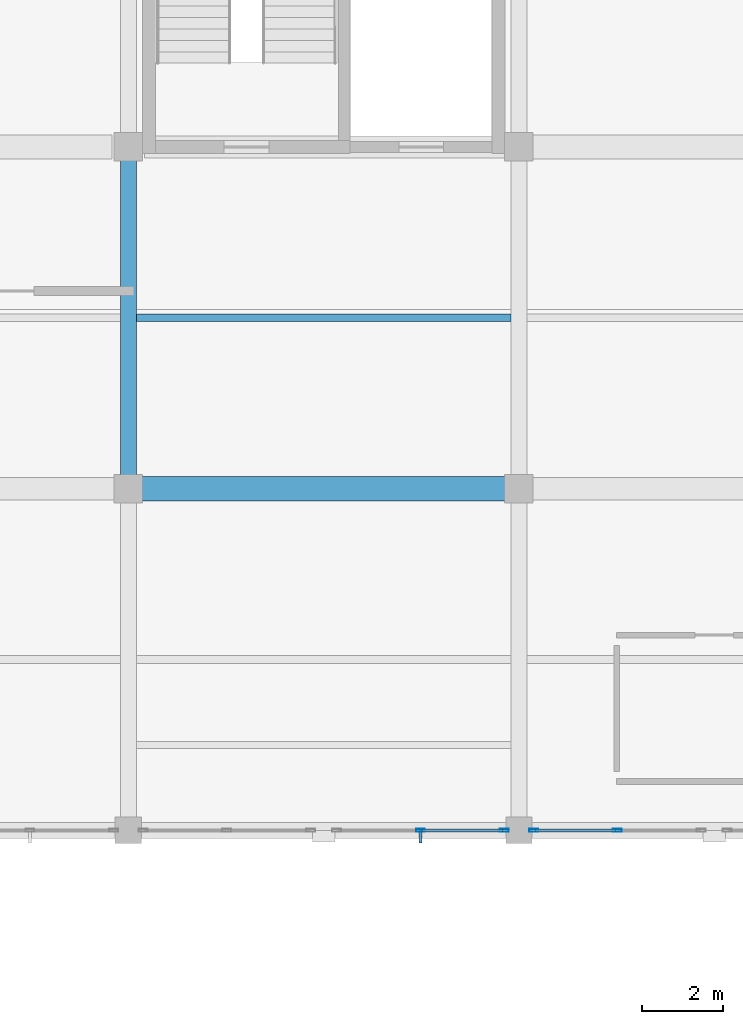
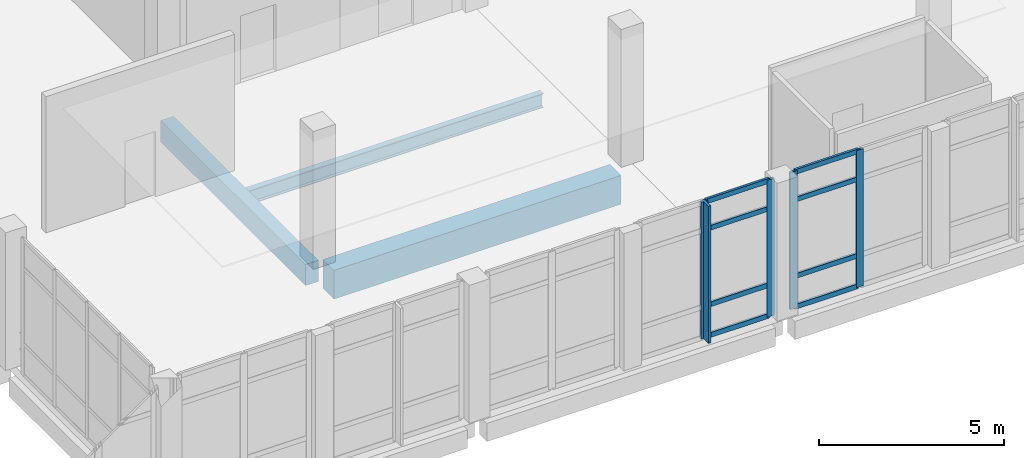
# One storey, part 41 of 102: 13 members, 3 beams, 2 elements without a shape of their own.
"""IFC4 building model written with IfcOpenShell, lengths in metres."""

from ifc_helpers import new_model, si_unit, direction, frame, origin, origin_2d, place, context, subcontext, project, spatial, rectangle, hollow_rectangle, i_section, extrude, material, layer, layer_set, material_profile, profile_set, type_object, element, aggregate, save


model = new_model("IFC4")

# Units and contexts
model_context = context("Model", 3, precision=1e-05, world=origin(), true_north=direction((0.0, 1.0)))
body_context = subcontext(model_context, "Body", "Model", "MODEL_VIEW")
ifc_project = project(units=[si_unit("LENGTHUNIT", "METRE"), si_unit("AREAUNIT", "SQUARE_METRE"), si_unit("VOLUMEUNIT", "CUBIC_METRE"), si_unit("PLANEANGLEUNIT", "RADIAN"), si_unit("MASSUNIT", "GRAM", prefix="KILO")], contexts=[model_context])

# Site, building, storey
site_placement = place(None, origin())
site = spatial("IfcSite", under=ifc_project, at=site_placement, CompositionType="ELEMENT")
building_placement = place(site_placement, origin())
building = spatial("IfcBuilding", under=site, at=building_placement, Name="Lornevale Opera House", CompositionType="ELEMENT")
storey_placement = place(building_placement, frame((0.0, 0.0, 5.39990234375)))
storey = spatial("IfcBuildingStorey", under=building, at=storey_placement, Name="L02", CompositionType="ELEMENT", Elevation=5.39990234375)

# Beams
ifc_material_1 = material(Name="Concrete 35 MPa (CSA A23.1 N)", Category="concrete")
ifc_material_profile_1 = material_profile(ifc_material_1, rectangle(XDim=0.39990234375, YDim=0.699951171875, at=origin_2d()), Name="RC400x700")
ifc_profile_set_1 = profile_set([ifc_material_profile_1], Name="Concrete 35 MPa (CSA A23.1 N)")
beam_type_1 = type_object("IfcBeamType", Name="Concrete Floor Beam 400x700", PredefinedType="USERDEFINED", material=ifc_profile_set_1)
beam_1_placement = place(storey_placement, frame((105.60009765625, 25.52490234375, -0.64990234375), z_axis=(0.0, 1.0, 0.0), x_axis=(-1.0, 0.0, 0.0)))
element("IfcBeam", 1, at=beam_1_placement, inside=storey, type_object=beam_type_1, Name="Concrete Floor Beam 400x700 1919", ObjectType="GIRDER", PredefinedType="USERDEFINED", context=body_context, shape_type="SweptSolid", body=[
    extrude(rectangle(XDim=0.39990234375, YDim=0.699951171875, at=origin_2d()), origin(), (0.0, 0.0, 1.0), 7.8251953125),
])
ifc_material_profile_2 = material_profile(ifc_material_1, rectangle(XDim=0.60009765625, YDim=0.949951171875, at=origin_2d()), Name="RC600x950")
ifc_profile_set_2 = profile_set([ifc_material_profile_2], Name="Concrete 35 MPa (CSA A23.1 N)")
beam_type_2 = type_object("IfcBeamType", Name="Concrete Primary Girder 600x950", PredefinedType="USERDEFINED", material=ifc_profile_set_2)
beam_2_placement = place(storey_placement, frame((105.925048828125, 25.199951171875, -0.77490234375), z_axis=(1.0, 0.0, 0.0), x_axis=(0.0, 1.0, 0.0)))
element("IfcBeam", 2, at=beam_2_placement, inside=storey, type_object=beam_type_2, Name="Concrete Primary Girder 600x950 1703", ObjectType="GIRDER", PredefinedType="USERDEFINED", context=body_context, shape_type="SweptSolid", body=[
    extrude(rectangle(XDim=0.60009765625, YDim=0.949951171875, at=origin_2d()), origin(), (0.0, 0.0, 1.0), 8.949951171875),
])

# Curtain wall, members
ifc_material_2 = material(Name="Anodized Oxide-Green Aluminium Framing", Category="aluminium")
ifc_layer = layer(ifc_material_2, 0.219970703125)
ifc_layer_set = layer_set([ifc_layer], Name="Anodized Oxide-Green Aluminium Framing")
curtain_wall_type = type_object("IfcCurtainWallType", Name="Winter-Garden Curtain Wall M1900", PredefinedType="NOTDEFINED", material=ifc_layer_set)
curtain_wall_1_placement = place(storey_placement, origin())
curtain_wall_1 = element("IfcCurtainWall", 3, at=curtain_wall_1_placement, inside=storey, type_object=curtain_wall_type, Name="Winter-Garden Curtain Wall M1900 CW-074", PredefinedType="NOTDEFINED")
ifc_material_profile_3 = material_profile(ifc_material_2, hollow_rectangle(XDim=0.074951171875, YDim=0.219970703125, WallThickness=0.0048828125, at=origin_2d()), Name="ALU75x220x5")
ifc_profile_set_3 = profile_set([ifc_material_profile_3], Name="Anodized Oxide-Green Aluminium Framing")
member_type_1 = type_object("IfcMemberType", Name="Curtain Wall Mullion 75x220", PredefinedType="MULLION", material=ifc_profile_set_3)
member_1_placement = place(storey_placement, frame((114.841552734375, 16.800048828125, 0.0), z_axis=(0.0, 0.0, 1.0), x_axis=(0.0, -1.0, 0.0)))
member_1 = element("IfcMember", 4, at=member_1_placement, type_object=member_type_1, Name="Curtain Wall Mullion 75x220 CW1514", PredefinedType="MULLION", context=body_context, shape_type="SweptSolid", body=[
    extrude(hollow_rectangle(XDim=0.074951171875, YDim=0.219970703125, WallThickness=0.0048828125, at=origin_2d()), origin(), (0.0, 0.0, 1.0), 4.52001953125),
])
member_2_placement = place(storey_placement, frame((112.779541015625, 16.800048828125, 0.0), z_axis=(0.0, 0.0, 1.0), x_axis=(0.0, -1.0, 0.0)))
member_2 = element("IfcMember", 5, at=member_2_placement, type_object=member_type_1, Name="Curtain Wall Mullion 75x220 CW1515", PredefinedType="MULLION", context=body_context, shape_type="SweptSolid", body=[
    extrude(hollow_rectangle(XDim=0.074951171875, YDim=0.219970703125, WallThickness=0.0048828125, at=origin_2d()), origin(), (0.0, 0.0, 1.0), 4.52001953125),
])

curtain_wall_2_placement = place(storey_placement, origin())
curtain_wall_2 = element("IfcCurtainWall", 6, at=curtain_wall_2_placement, inside=storey, type_object=curtain_wall_type, Name="Winter-Garden Curtain Wall M1900 CW-077", PredefinedType="NOTDEFINED")
member_3_placement = place(storey_placement, frame((117.62060546875, 16.800048828125, 0.0), z_axis=(0.0, 0.0, 1.0), x_axis=(0.0, -1.0, 0.0)))
member_3 = element("IfcMember", 7, at=member_3_placement, type_object=member_type_1, Name="Curtain Wall Mullion 75x220 CW1566", PredefinedType="MULLION", context=body_context, shape_type="SweptSolid", body=[
    extrude(hollow_rectangle(XDim=0.074951171875, YDim=0.219970703125, WallThickness=0.0048828125, at=origin_2d()), origin(), (0.0, 0.0, 1.0), 4.52001953125),
])
member_4_placement = place(storey_placement, frame((115.55859375, 16.800048828125, 0.0), z_axis=(0.0, 0.0, 1.0), x_axis=(0.0, -1.0, 0.0)))
member_4 = element("IfcMember", 8, at=member_4_placement, type_object=member_type_1, Name="Curtain Wall Mullion 75x220 CW1567", PredefinedType="MULLION", context=body_context, shape_type="SweptSolid", body=[
    extrude(hollow_rectangle(XDim=0.074951171875, YDim=0.219970703125, WallThickness=0.0048828125, at=origin_2d()), origin(), (0.0, 0.0, 1.0), 4.52001953125),
])

# Member
ifc_material_profile_4 = material_profile(ifc_material_2, hollow_rectangle(XDim=0.074951171875, YDim=0.159912109375, WallThickness=0.0048828125, at=origin_2d()), Name="ALU75x160x5")
ifc_profile_set_4 = profile_set([ifc_material_profile_4], Name="Anodized Oxide-Green Aluminium Framing")
member_type_2 = type_object("IfcMemberType", Name="Curtain Wall Transom 75x160", PredefinedType="USERDEFINED", material=ifc_profile_set_4)
member_5_placement = place(storey_placement, frame((114.803955078125, 16.800048828125, 0.03759765625), z_axis=(-1.0, 0.0, 0.0), x_axis=(0.0, -1.0, 0.0)))
member_5 = element("IfcMember", 9, at=member_5_placement, type_object=member_type_2, Name="Curtain Wall Transom 75x160 CW1517", ObjectType="TRANSOM", PredefinedType="USERDEFINED", context=body_context, shape_type="SweptSolid", body=[
    extrude(hollow_rectangle(XDim=0.074951171875, YDim=0.159912109375, WallThickness=0.0048828125, at=origin_2d()), origin(), (0.0, 0.0, 1.0), 1.987060546875),
])

member_6_placement = place(storey_placement, frame((114.803955078125, 16.800048828125, 1.050048828125), z_axis=(-1.0, 0.0, 0.0), x_axis=(0.0, -1.0, 0.0)))
member_6 = element("IfcMember", 10, at=member_6_placement, type_object=member_type_2, Name="Curtain Wall Transom 75x160 CW1518", ObjectType="TRANSOM", PredefinedType="USERDEFINED", context=body_context, shape_type="SweptSolid", body=[
    extrude(hollow_rectangle(XDim=0.074951171875, YDim=0.159912109375, WallThickness=0.0048828125, at=origin_2d()), origin(), (0.0, 0.0, 1.0), 1.987060546875),
])

member_7_placement = place(storey_placement, frame((114.803955078125, 16.800048828125, 3.570068359375), z_axis=(-1.0, 0.0, 0.0), x_axis=(0.0, -1.0, 0.0)))
member_7 = element("IfcMember", 11, at=member_7_placement, type_object=member_type_2, Name="Curtain Wall Transom 75x160 CW1519", ObjectType="TRANSOM", PredefinedType="USERDEFINED", context=body_context, shape_type="SweptSolid", body=[
    extrude(hollow_rectangle(XDim=0.074951171875, YDim=0.159912109375, WallThickness=0.0048828125, at=origin_2d()), origin(), (0.0, 0.0, 1.0), 1.987060546875),
])

member_8_placement = place(storey_placement, frame((114.803955078125, 16.800048828125, 4.482666015625), z_axis=(-1.0, 0.0, 0.0), x_axis=(0.0, -1.0, 0.0)))
member_8 = element("IfcMember", 12, at=member_8_placement, type_object=member_type_2, Name="Curtain Wall Transom 75x160 CW1520", ObjectType="TRANSOM", PredefinedType="USERDEFINED", context=body_context, shape_type="SweptSolid", body=[
    extrude(hollow_rectangle(XDim=0.074951171875, YDim=0.159912109375, WallThickness=0.0048828125, at=origin_2d()), origin(), (0.0, 0.0, 1.0), 1.987060546875),
])

member_9_placement = place(storey_placement, frame((117.5830078125, 16.800048828125, 0.03759765625), z_axis=(-1.0, 0.0, 0.0), x_axis=(0.0, -1.0, 0.0)))
member_9 = element("IfcMember", 13, at=member_9_placement, type_object=member_type_2, Name="Curtain Wall Transom 75x160 CW1575", ObjectType="TRANSOM", PredefinedType="USERDEFINED", context=body_context, shape_type="SweptSolid", body=[
    extrude(hollow_rectangle(XDim=0.074951171875, YDim=0.159912109375, WallThickness=0.0048828125, at=origin_2d()), origin(), (0.0, 0.0, 1.0), 1.987060546875),
])

member_10_placement = place(storey_placement, frame((117.5830078125, 16.800048828125, 1.050048828125), z_axis=(-1.0, 0.0, 0.0), x_axis=(0.0, -1.0, 0.0)))
member_10 = element("IfcMember", 14, at=member_10_placement, type_object=member_type_2, Name="Curtain Wall Transom 75x160 CW1576", ObjectType="TRANSOM", PredefinedType="USERDEFINED", context=body_context, shape_type="SweptSolid", body=[
    extrude(hollow_rectangle(XDim=0.074951171875, YDim=0.159912109375, WallThickness=0.0048828125, at=origin_2d()), origin(), (0.0, 0.0, 1.0), 1.987060546875),
])

member_11_placement = place(storey_placement, frame((117.5830078125, 16.800048828125, 3.570068359375), z_axis=(-1.0, 0.0, 0.0), x_axis=(0.0, -1.0, 0.0)))
member_11 = element("IfcMember", 15, at=member_11_placement, type_object=member_type_2, Name="Curtain Wall Transom 75x160 CW1577", ObjectType="TRANSOM", PredefinedType="USERDEFINED", context=body_context, shape_type="SweptSolid", body=[
    extrude(hollow_rectangle(XDim=0.074951171875, YDim=0.159912109375, WallThickness=0.0048828125, at=origin_2d()), origin(), (0.0, 0.0, 1.0), 1.987060546875),
])

member_12_placement = place(storey_placement, frame((117.5830078125, 16.800048828125, 4.482666015625), z_axis=(-1.0, 0.0, 0.0), x_axis=(0.0, -1.0, 0.0)))
member_12 = element("IfcMember", 16, at=member_12_placement, type_object=member_type_2, Name="Curtain Wall Transom 75x160 CW1578", ObjectType="TRANSOM", PredefinedType="USERDEFINED", context=body_context, shape_type="SweptSolid", body=[
    extrude(hollow_rectangle(XDim=0.074951171875, YDim=0.159912109375, WallThickness=0.0048828125, at=origin_2d()), origin(), (0.0, 0.0, 1.0), 1.987060546875),
])

aggregate(curtain_wall_2, [member_3, member_4, member_9, member_10, member_11, member_12])

ifc_material_3 = material(Name="Architectural Bronze Solar Louvre Alloy", Category="metal")
ifc_material_profile_5 = material_profile(ifc_material_3, rectangle(XDim=0.080078125, YDim=0.360107421875, at=origin_2d()), Name="FIN80x360")
ifc_profile_set_5 = profile_set([ifc_material_profile_5], Name="Architectural Bronze Solar Louvre Alloy")
member_type_3 = type_object("IfcMemberType", Name="Solar Shading Fin 80x360", PredefinedType="USERDEFINED", material=ifc_profile_set_5)
member_13_placement = place(storey_placement, frame((112.779541015625, 16.674072265625, 0.0), z_axis=(0.0, 0.0, 1.0), x_axis=(-1.0, 0.0, 0.0)))
member_13 = element("IfcMember", 17, at=member_13_placement, type_object=member_type_3, Name="Solar Shading Fin 80x360 FIN0032", ObjectType="SOLAR FIN", PredefinedType="USERDEFINED", context=body_context, shape_type="SweptSolid", body=[
    extrude(rectangle(XDim=0.080078125, YDim=0.360107421875, at=origin_2d()), origin(), (0.0, 0.0, 1.0), 4.52001953125),
])

aggregate(curtain_wall_1, [member_1, member_2, member_5, member_6, member_7, member_8, member_13])

# Beam
ifc_material_4 = material(Name="Structural Steel CSA G40.21 Grade 350W (350 MPa)", Category="steel")
ifc_material_profile_6 = material_profile(ifc_material_4, i_section(OverallWidth=0.19189453125, OverallDepth=0.462890625, WebThickness=0.010498046875, FlangeThickness=0.017578125, at=origin_2d()), Name="W460x89")
ifc_profile_set_6 = profile_set([ifc_material_profile_6], Name="Structural Steel CSA G40.21 Grade 350W (350 MPa)")
beam_type_3 = type_object("IfcBeamType", Name="Steel Floor Joist W460x89", PredefinedType="JOIST", material=ifc_profile_set_6)
beam_3_placement = place(storey_placement, frame((105.800048828125, 29.39990234375, -0.54638671875), z_axis=(1.0, 0.0, 0.0), x_axis=(0.0, 1.0, 0.0)))
element("IfcBeam", 18, at=beam_3_placement, inside=storey, type_object=beam_type_3, Name="Steel Floor Joist W460x89 2042", PredefinedType="JOIST", context=body_context, shape_type="SweptSolid", body=[
    extrude(i_section(OverallWidth=0.19189453125, OverallDepth=0.462890625, WebThickness=0.010498046875, FlangeThickness=0.017578125, at=origin_2d()), origin(), (0.0, 0.0, 1.0), 9.199951171875),
])

save(model, "model.ifc")
